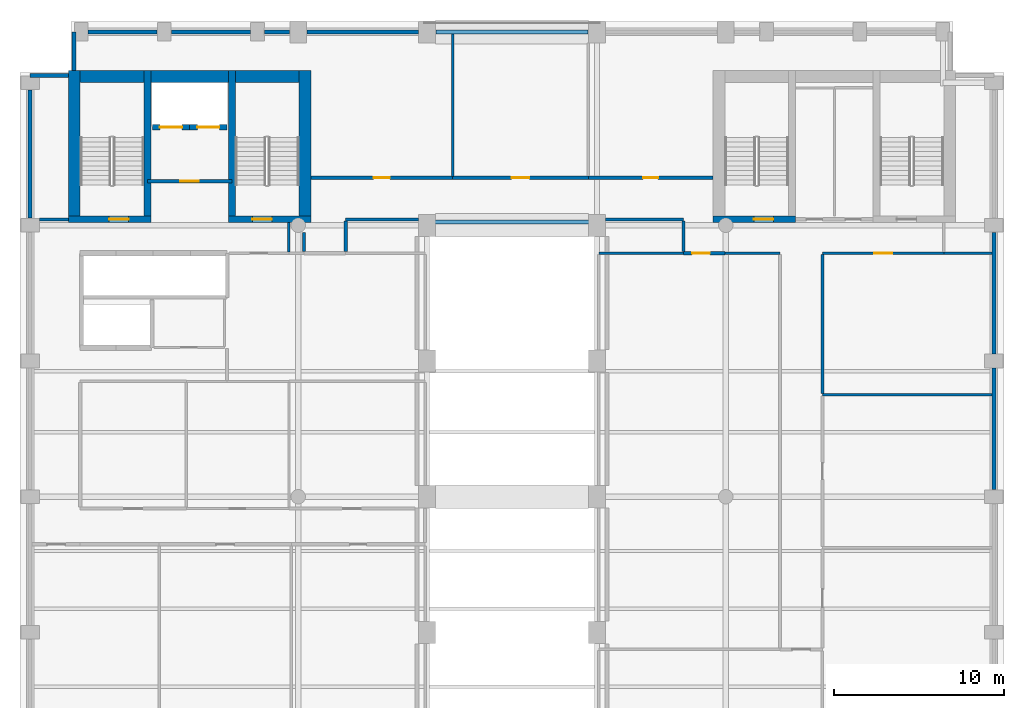
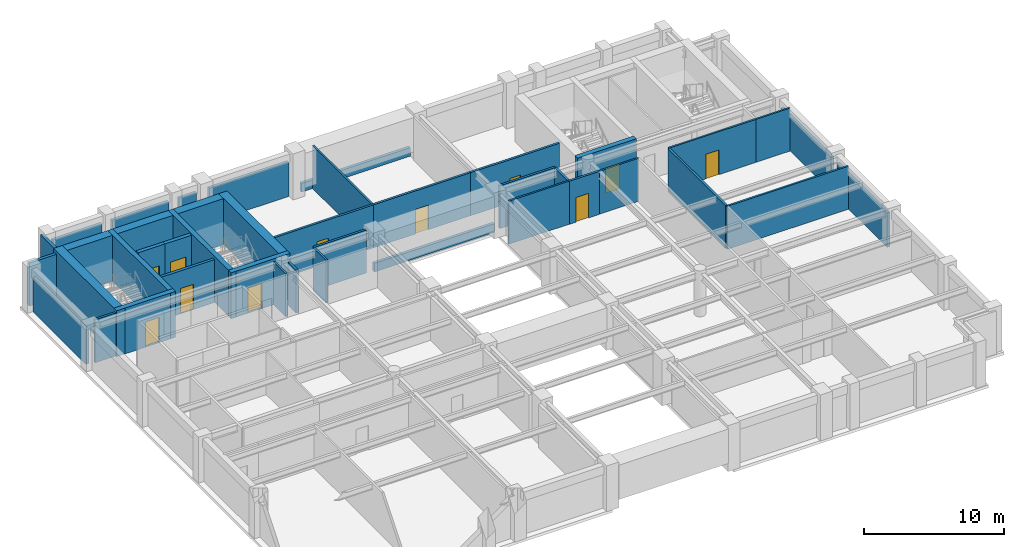
# One storey, part 4 of 7: 40 walls, 11 doors, 11 openings.
"""IFC4 building model written with IfcOpenShell, lengths in metres."""

from ifc_helpers import new_model, si_unit, direction, frame, frame_2d, origin, place, context, subcontext, project, spatial, rectangle, extrude, material, layer, layer_set, type_object, element, fill, save


model = new_model("IFC4")

# Units and contexts
model_context = context("Model", 3, precision=1e-05, world=origin(), true_north=direction((0.0, 1.0)))
body_context = subcontext(model_context, "Body", "Model", "MODEL_VIEW")
ifc_project = project(units=[si_unit("LENGTHUNIT", "METRE"), si_unit("AREAUNIT", "SQUARE_METRE"), si_unit("VOLUMEUNIT", "CUBIC_METRE"), si_unit("PLANEANGLEUNIT", "RADIAN"), si_unit("MASSUNIT", "GRAM", prefix="KILO")], contexts=[model_context])

# Site, building, storey
site_placement = place(None, origin())
site = spatial("IfcSite", under=ifc_project, at=site_placement, CompositionType="ELEMENT")
building_placement = place(site_placement, origin())
building = spatial("IfcBuilding", under=site, at=building_placement, Name="Sulina Concourse Tower", CompositionType="ELEMENT")
storey_placement = place(building_placement, frame((0.0, 0.0, 198.60009765625)))
storey = spatial("IfcBuildingStorey", under=building, at=storey_placement, Name="L48", CompositionType="ELEMENT", Elevation=198.60009765625)

# Wall, opening, door
ifc_material_1 = material(Name="Concrete C50/60", Category="concrete")
ifc_layer_1 = layer(ifc_material_1, 0.300048828125)
ifc_layer_set_1 = layer_set([ifc_layer_1], Name="Concrete C50/60")
wall_type_1 = type_object("IfcWallType", Name="Core Lift Hoistway Wall 300mm", PredefinedType="SOLIDWALL", material=ifc_layer_set_1)
wall_1_placement = place(storey_placement, frame((10.0, 39.780029296875, 0.0), z_axis=(0.0, 0.0, 1.0), x_axis=(-1.0, 0.0, 0.0)))
wall_1 = element("IfcWall", 1, at=wall_1_placement, inside=storey, type_object=wall_type_1, Name="L48 hoistway enclosure wall FFL-1", PredefinedType="SOLIDWALL", context=body_context, shape_type="SweptSolid", body=[
    extrude(rectangle(XDim=2.199951171875, YDim=0.300048828125, at=frame_2d((1.10009765625, 0.0))), origin(), (0.0, 0.0, 1.0), 4.0),
])
opening_1_placement = place(wall_1_placement, frame((0.449951171875, 0.0, 0.0)))
opening_1 = element("IfcOpeningElement", 2, at=opening_1_placement, cuts=wall_1, Name="Opening LD-02", PredefinedType="OPENING", context=body_context, shape_type="SweptSolid", body=[
    extrude(rectangle(XDim=1.300048828125, YDim=2.25, at=frame_2d((0.64990234375, 1.125))), frame((0.0, 0.159912109375, 0.0), z_axis=(0.0, -1.0, 0.0), x_axis=(1.0, 0.0, 0.0)), (0.0, 0.0, 1.0), 0.320068359375),
])
ifc_material_2 = material(Name="Stainless steel lift landing door", Category="steel")
ifc_layer_2 = layer(ifc_material_2, 0.050048828125)
ifc_layer_set_2 = layer_set([ifc_layer_2], Name="Stainless steel lift landing door")
door_type_1 = type_object("IfcDoorType", Name="Firefighting Lift Sliding Landing Door 1300x2250", OperationType="SLIDING_TO_RIGHT", PredefinedType="DOOR", material=ifc_layer_set_2)
door_1_placement = place(opening_1_placement, origin())
door_1 = element("IfcDoor", 3, at=door_1_placement, inside=storey, type_object=door_type_1, Name="L48 lift landing sliding door FFL-1", OperationType="SLIDING_TO_LEFT", OverallHeight=2.25, OverallWidth=1.300048828125, PredefinedType="DOOR", context=body_context, shape_type="SweptSolid", body=[
    extrude(rectangle(XDim=1.300048828125, YDim=2.25, at=frame_2d((0.64990234375, 1.125))), frame((0.0, 0.02490234375, 0.0), z_axis=(0.0, -1.0, 0.0), x_axis=(1.0, 0.0, 0.0)), (0.0, 0.0, 1.0), 0.050048828125),
])
fill(opening_1, door_1)

wall_2_placement = place(storey_placement, frame((12.199951171875, 39.780029296875, 0.0), z_axis=(0.0, 0.0, 1.0), x_axis=(-1.0, 0.0, 0.0)))
wall_2 = element("IfcWall", 4, at=wall_2_placement, inside=storey, type_object=wall_type_1, Name="L48 hoistway enclosure wall FFL-2", PredefinedType="SOLIDWALL", context=body_context, shape_type="SweptSolid", body=[
    extrude(rectangle(XDim=2.199951171875, YDim=0.300048828125, at=frame_2d((1.10009765625, 0.0))), origin(), (0.0, 0.0, 1.0), 4.0),
])
opening_2_placement = place(wall_2_placement, frame((0.449951171875, 0.0, 0.0)))
opening_2 = element("IfcOpeningElement", 5, at=opening_2_placement, cuts=wall_2, Name="Opening LD-02", PredefinedType="OPENING", context=body_context, shape_type="SweptSolid", body=[
    extrude(rectangle(XDim=1.300048828125, YDim=2.25, at=frame_2d((0.64990234375, 1.125))), frame((0.0, 0.159912109375, 0.0), z_axis=(0.0, -1.0, 0.0), x_axis=(1.0, 0.0, 0.0)), (0.0, 0.0, 1.0), 0.320068359375),
])
door_2_placement = place(opening_2_placement, origin())
door_2 = element("IfcDoor", 6, at=door_2_placement, inside=storey, type_object=door_type_1, Name="L48 lift landing sliding door FFL-2", OperationType="SLIDING_TO_RIGHT", OverallHeight=2.25, OverallWidth=1.300048828125, PredefinedType="DOOR", context=body_context, shape_type="SweptSolid", body=[
    extrude(rectangle(XDim=1.300048828125, YDim=2.25, at=frame_2d((0.64990234375, 1.125))), frame((0.0, 0.02490234375, 0.0), z_axis=(0.0, -1.0, 0.0), x_axis=(1.0, 0.0, 0.0)), (0.0, 0.0, 1.0), 0.050048828125),
])
fill(opening_2, door_2)

# Walls
ifc_material_3 = material(Name="Precast concrete C50/60", Category="concrete")
ifc_layer_3 = layer(ifc_material_3, 0.239990234375)
ifc_layer_set_3 = layer_set([ifc_layer_3], Name="Precast concrete C50/60")
wall_type_2 = type_object("IfcWallType", Name="Crown Precast Masonry-Frame Facade Wall 240mm", PredefinedType="SOLIDWALL", material=ifc_layer_set_3)
wall_3_placement = place(storey_placement, frame((0.60009765625, 34.419921875, 0.0), z_axis=(0.0, 0.0, 1.0), x_axis=(0.0, 1.0, 0.0)))
element("IfcWall", 7, at=wall_3_placement, inside=storey, type_object=wall_type_2, Name="L48 exterior precast wall W5", PredefinedType="SOLIDWALL", context=body_context, shape_type="SweptSolid", body=[
    extrude(rectangle(XDim=7.56005859375, YDim=0.239990234375, at=frame_2d((3.780029296875, 0.0))), origin(), (0.0, 0.0, 1.0), 3.0),
])
wall_4_placement = place(storey_placement, frame((4.02001953125, 45.39990234375, 0.0), z_axis=(0.0, 0.0, 1.0), x_axis=(1.0, 0.0, 0.0)))
element("IfcWall", 8, at=wall_4_placement, inside=storey, type_object=wall_type_2, Name="L48 exterior precast wall N1", PredefinedType="SOLIDWALL", context=body_context, shape_type="SweptSolid", body=[
    extrude(rectangle(XDim=4.06005859375, YDim=0.239990234375, at=frame_2d((2.030029296875, 0.0))), origin(), (0.0, 0.0, 1.0), 3.0),
])
wall_5_placement = place(storey_placement, frame((8.919921875, 45.39990234375, 0.0), z_axis=(0.0, 0.0, 1.0), x_axis=(1.0, 0.0, 0.0)))
element("IfcWall", 9, at=wall_5_placement, inside=storey, type_object=wall_type_2, Name="L48 exterior precast wall N2", PredefinedType="SOLIDWALL", context=body_context, shape_type="SweptSolid", body=[
    extrude(rectangle(XDim=4.66015625, YDim=0.239990234375, at=frame_2d((2.330078125, 0.0))), origin(), (0.0, 0.0, 1.0), 3.0),
])
wall_6_placement = place(storey_placement, frame((14.419921875, 45.39990234375, 0.0), z_axis=(0.0, 0.0, 1.0), x_axis=(1.0, 0.0, 0.0)))
element("IfcWall", 10, at=wall_6_placement, inside=storey, type_object=wall_type_2, Name="L48 exterior precast wall N3", PredefinedType="SOLIDWALL", context=body_context, shape_type="SweptSolid", body=[
    extrude(rectangle(XDim=1.4599609375, YDim=0.239990234375, at=frame_2d((0.72998046875, 0.0))), origin(), (0.0, 0.0, 1.0), 3.0),
])
wall_7_placement = place(storey_placement, frame((16.919921875, 45.39990234375, 0.0), z_axis=(0.0, 0.0, 1.0), x_axis=(1.0, 0.0, 0.0)))
element("IfcWall", 11, at=wall_7_placement, inside=storey, type_object=wall_type_2, Name="L48 exterior precast wall N4", PredefinedType="SOLIDWALL", context=body_context, shape_type="SweptSolid", body=[
    extrude(rectangle(XDim=6.56005859375, YDim=0.239990234375, at=frame_2d((3.280029296875, 0.0))), origin(), (0.0, 0.0, 1.0), 3.0),
])
wall_8_placement = place(storey_placement, frame((24.52001953125, 45.39990234375, 0.0), z_axis=(0.0, 0.0, 1.0), x_axis=(1.0, 0.0, 0.0)))
element("IfcWall", 12, at=wall_8_placement, inside=storey, type_object=wall_type_2, Name="L48 exterior precast wall N5", PredefinedType="SOLIDWALL", context=body_context, shape_type="SweptSolid", body=[
    extrude(rectangle(XDim=8.9599609375, YDim=0.239990234375, at=frame_2d((4.47998046875, 0.0))), origin(), (0.0, 0.0, 1.0), 0.75),
])
for number, where, z_axis, x_axis, name in (
    (13, (57.39990234375, 25.580078125, 0.0), (0.0, 0.0, 1.0), (0.0, -1.0, 0.0), "L48 exterior precast wall E3"),
    (14, (57.39990234375, 33.580078125, 0.0), (0.0, 0.0, 1.0), (0.0, -1.0, 0.0), "L48 exterior precast wall E4"),
):
    element("IfcWall", number, at=place(storey_placement, frame(where, z_axis=z_axis, x_axis=x_axis)), inside=storey, type_object=wall_type_2, Name=name, PredefinedType="SOLIDWALL", context=body_context, shape_type="SweptSolid", body=[
        extrude(rectangle(XDim=7.16015625, YDim=0.239990234375, at=frame_2d((3.580078125, 0.0))), origin(), (0.0, 0.0, 1.0), 3.0),
    ])
wall_9_placement = place(storey_placement, frame((0.60009765625, 42.820068359375, 0.0), z_axis=(0.0, 0.0, 1.0), x_axis=(1.0, 0.0, 0.0)))
element("IfcWall", 15, at=wall_9_placement, inside=storey, type_object=wall_type_2, Name="L48 exterior precast wall CNW1", PredefinedType="SOLIDWALL", context=body_context, shape_type="SweptSolid", body=[
    extrude(rectangle(XDim=2.244873046875, YDim=0.239990234375, at=frame_2d((1.12255859375, 0.0))), origin(), (0.0, 0.0, 1.0), 3.75),
])
wall_10_placement = place(storey_placement, frame((3.179931640625, 43.135009765625, 0.0), z_axis=(0.0, 0.0, 1.0), x_axis=(0.0, 1.0, 0.0)))
element("IfcWall", 16, at=wall_10_placement, inside=storey, type_object=wall_type_2, Name="L48 exterior precast wall CNW2", PredefinedType="SOLIDWALL", context=body_context, shape_type="SweptSolid", body=[
    extrude(rectangle(XDim=2.264892578125, YDim=0.239990234375, at=frame_2d((1.13232421875, 0.0))), origin(), (0.0, 0.0, 1.0), 3.75),
])
wall_11_placement = place(storey_placement, frame((33.949951171875, 34.199951171875, 0.0), z_axis=(0.0, 0.0, 1.0), x_axis=(-1.0, 0.0, 0.0)))
element("IfcWall", 17, at=wall_11_placement, inside=storey, type_object=wall_type_2, Name="L48 exterior precast wall PBRG-S", PredefinedType="SOLIDWALL", context=body_context, shape_type="SweptSolid", body=[
    extrude(rectangle(XDim=9.89990234375, YDim=0.239990234375, at=frame_2d((4.949951171875, 0.0))), origin(), (0.0, 0.0, 1.0), 0.75),
])

# Wall, opening, door
ifc_material_4 = material(Name="Gypsum board on steel stud", Category="steel")
ifc_layer_4 = layer(ifc_material_4, 0.219970703125)
ifc_layer_set_4 = layer_set([ifc_layer_4], Name="Gypsum board on steel stud")
wall_type_3 = type_object("IfcWallType", Name="Fire-Rated Lobby & Compartment Wall 220mm", PredefinedType="PARTITIONING", material=ifc_layer_set_4)
wall_12_placement = place(storey_placement, frame((7.510009765625, 36.60009765625, 0.0), z_axis=(0.0, 0.0, 1.0), x_axis=(1.0, 0.0, 0.0)))
wall_12 = element("IfcWall", 18, at=wall_12_placement, inside=storey, type_object=wall_type_3, Name="L48 firefighting lobby south fire wall", PredefinedType="PARTITIONING", context=body_context, shape_type="SweptSolid", body=[
    extrude(rectangle(XDim=4.97998046875, YDim=0.219970703125, at=frame_2d((2.489990234375, 0.0))), origin(), (0.0, 0.0, 1.0), 3.75),
])
opening_3_placement = place(wall_12_placement, frame((1.93994140625, 0.0, 0.0)))
opening_3 = element("IfcOpeningElement", 19, at=opening_3_placement, cuts=wall_12, Name="Opening DR-47", PredefinedType="OPENING", context=body_context, shape_type="SweptSolid", body=[
    extrude(rectangle(XDim=1.10009765625, YDim=2.199951171875, at=frame_2d((0.550048828125, 1.10009765625))), frame((0.0, 0.119873046875, 0.0), z_axis=(0.0, -1.0, 0.0), x_axis=(1.0, 0.0, 0.0)), (0.0, 0.0, 1.0), 0.239990234375),
])
ifc_material_5 = material(Name="Galvanised steel acoustic fire leaf", Category="steel")
ifc_layer_5 = layer(ifc_material_5, 0.054931640625)
ifc_layer_set_5 = layer_set([ifc_layer_5], Name="Galvanised steel acoustic fire leaf")
door_type_2 = type_object("IfcDoorType", Name="Firefighting Lobby Fire Door 1100x2200", OperationType="NOTDEFINED", PredefinedType="DOOR", material=ifc_layer_set_5)
door_3_placement = place(opening_3_placement, origin())
door_3 = element("IfcDoor", 20, at=door_3_placement, inside=storey, type_object=door_type_2, Name="L48 firefighting lobby fire door", OperationType="SINGLE_SWING_LEFT", OverallHeight=2.199951171875, OverallWidth=1.10009765625, PredefinedType="DOOR", context=body_context, shape_type="SweptSolid", body=[
    extrude(rectangle(XDim=1.10009765625, YDim=2.199951171875, at=frame_2d((0.550048828125, 1.10009765625))), frame((0.0, 0.02490234375, 0.0), z_axis=(0.0, -1.0, 0.0), x_axis=(1.0, 0.0, 0.0)), (0.0, 0.0, 1.0), 0.050048828125),
])
fill(opening_3, door_3)

# Walls
ifc_material_6 = material(Name="Gypsum board on steel stud", Category="steel")
ifc_layer_6 = layer(ifc_material_6, 0.14990234375)
ifc_layer_set_6 = layer_set([ifc_layer_6], Name="Gypsum board on steel stud")
wall_type_4 = type_object("IfcWallType", Name="Inter-Tenancy Acoustic Partition 150mm", PredefinedType="PARTITIONING", material=ifc_layer_set_6)
wall_13_placement = place(storey_placement, frame((47.300048828125, 24.0, 0.0), z_axis=(0.0, 0.0, 1.0), x_axis=(1.0, 0.0, 0.0)))
element("IfcWall", 21, at=wall_13_placement, inside=storey, type_object=wall_type_4, Name="L48 interior partition 011", PredefinedType="PARTITIONING", context=body_context, shape_type="SweptSolid", body=[
    extrude(rectangle(XDim=9.97998046875, YDim=0.14990234375, at=frame_2d((4.989990234375, 0.0))), origin(), (0.0, 0.0, 1.0), 3.75),
])
wall_14_placement = place(storey_placement, frame((34.1201171875, 32.35009765625, 0.0), z_axis=(0.0, 0.0, 1.0), x_axis=(1.0, 0.0, 0.0)))
element("IfcWall", 22, at=wall_14_placement, inside=storey, type_object=wall_type_4, Name="L48 interior partition 021", PredefinedType="PARTITIONING", context=body_context, shape_type="SweptSolid", body=[
    extrude(rectangle(XDim=4.97998046875, YDim=0.14990234375, at=frame_2d((2.489990234375, 0.0))), origin(), (0.0, 0.0, 1.0), 3.75),
])
wall_15_placement = place(storey_placement, frame((41.550048828125, 32.35009765625, 0.0), z_axis=(0.0, 0.0, 1.0), x_axis=(1.0, 0.0, 0.0)))
element("IfcWall", 23, at=wall_15_placement, inside=storey, type_object=wall_type_4, Name="L48 interior partition 023", PredefinedType="PARTITIONING", context=body_context, shape_type="SweptSolid", body=[
    extrude(rectangle(XDim=3.25, YDim=0.14990234375, at=frame_2d((1.625, 0.0))), origin(), (0.0, 0.0, 1.0), 3.75),
])

# Wall, opening, door
wall_16_placement = place(storey_placement, frame((47.300048828125, 32.35009765625, 0.0), z_axis=(0.0, 0.0, 1.0), x_axis=(1.0, 0.0, 0.0)))
wall_16 = element("IfcWall", 24, at=wall_16_placement, inside=storey, type_object=wall_type_4, Name="L48 interior partition 024", PredefinedType="PARTITIONING", context=body_context, shape_type="SweptSolid", body=[
    extrude(rectangle(XDim=7.14990234375, YDim=0.14990234375, at=frame_2d((3.574951171875, 0.0))), origin(), (0.0, 0.0, 1.0), 3.75),
])
opening_4_placement = place(wall_16_placement, frame((3.050048828125, 0.0, 0.0)))
opening_4 = element("IfcOpeningElement", 25, at=opening_4_placement, cuts=wall_16, Name="Opening DR-37", PredefinedType="OPENING", context=body_context, shape_type="SweptSolid", body=[
    extrude(rectangle(XDim=1.050048828125, YDim=2.14990234375, at=frame_2d((0.52490234375, 1.074951171875))), frame((0.0, 0.0849609375, 0.0), z_axis=(0.0, -1.0, 0.0), x_axis=(1.0, 0.0, 0.0)), (0.0, 0.0, 1.0), 0.169921875),
])
ifc_material_7 = material(Name="Oak-veneered fire door leaf")
ifc_layer_7 = layer(ifc_material_7, 0.050048828125)
ifc_layer_set_7 = layer_set([ifc_layer_7], Name="Oak-veneered fire door leaf")
door_type_3 = type_object("IfcDoorType", Name="Tenant Suite Entrance Fire Door 1050x2150", OperationType="NOTDEFINED", PredefinedType="DOOR", material=ifc_layer_set_7)
door_4_placement = place(opening_4_placement, origin())
door_4 = element("IfcDoor", 26, at=door_4_placement, inside=storey, type_object=door_type_3, Name="L48 interior door L48-OFF-E3", OperationType="SINGLE_SWING_RIGHT", OverallHeight=2.14990234375, OverallWidth=1.050048828125, PredefinedType="DOOR", context=body_context, shape_type="SweptSolid", body=[
    extrude(rectangle(XDim=1.050048828125, YDim=2.14990234375, at=frame_2d((0.52490234375, 1.074951171875))), frame((0.0, 0.02490234375, 0.0), z_axis=(0.0, -1.0, 0.0), x_axis=(1.0, 0.0, 0.0)), (0.0, 0.0, 1.0), 0.050048828125),
])
fill(opening_4, door_4)

# Walls
wall_17_placement = place(storey_placement, frame((54.449951171875, 32.35009765625, 0.0), z_axis=(0.0, 0.0, 1.0), x_axis=(1.0, 0.0, 0.0)))
element("IfcWall", 27, at=wall_17_placement, inside=storey, type_object=wall_type_4, Name="L48 interior partition 025", PredefinedType="PARTITIONING", context=body_context, shape_type="SweptSolid", body=[
    extrude(rectangle(XDim=2.830078125, YDim=0.14990234375, at=frame_2d((1.4150390625, 0.0))), origin(), (0.0, 0.0, 1.0), 3.75),
])
wall_18_placement = place(storey_placement, frame((15.85009765625, 32.425048828125, 0.0), z_axis=(0.0, 0.0, 1.0), x_axis=(0.0, 1.0, 0.0)))
element("IfcWall", 28, at=wall_18_placement, inside=storey, type_object=wall_type_4, Name="L48 interior partition 040", PredefinedType="PARTITIONING", context=body_context, shape_type="SweptSolid", body=[
    extrude(rectangle(XDim=1.724853515625, YDim=0.14990234375, at=frame_2d((0.8623046875, 0.0))), origin(), (0.0, 0.0, 1.0), 3.75),
])
wall_19_placement = place(storey_placement, frame((25.5, 36.889892578125, 0.0), z_axis=(0.0, 0.0, 1.0), x_axis=(0.0, 1.0, 0.0)))
element("IfcWall", 29, at=wall_19_placement, inside=storey, type_object=wall_type_4, Name="L48 interior partition 049", PredefinedType="PARTITIONING", context=body_context, shape_type="SweptSolid", body=[
    extrude(rectangle(XDim=8.39013671875, YDim=0.14990234375, at=frame_2d((4.195068359375, 0.0))), origin(), (0.0, 0.0, 1.0), 3.75),
])

# Wall, opening, door
ifc_material_8 = material(Name="Gypsum board on steel stud", Category="steel")
ifc_layer_8 = layer(ifc_material_8, 0.179931640625)
ifc_layer_set_8 = layer_set([ifc_layer_8], Name="Gypsum board on steel stud")
wall_type_5 = type_object("IfcWallType", Name="Protected Corridor & Riser Partition 180mm", PredefinedType="PARTITIONING", material=ifc_layer_set_8)
wall_20_placement = place(storey_placement, frame((39.10009765625, 32.35009765625, 0.0), z_axis=(0.0, 0.0, 1.0), x_axis=(1.0, 0.0, 0.0)))
wall_20 = element("IfcWall", 30, at=wall_20_placement, inside=storey, type_object=wall_type_5, Name="L48 interior partition 022", PredefinedType="PARTITIONING", context=body_context, shape_type="SweptSolid", body=[
    extrude(rectangle(XDim=2.449951171875, YDim=0.179931640625, at=frame_2d((1.22509765625, 0.0))), origin(), (0.0, 0.0, 1.0), 3.75),
])
opening_5_placement = place(wall_20_placement, frame((0.52001953125, 0.0, 0.0)))
opening_5 = element("IfcOpeningElement", 31, at=opening_5_placement, cuts=wall_20, Name="Opening DR-37", PredefinedType="OPENING", context=body_context, shape_type="SweptSolid", body=[
    extrude(rectangle(XDim=1.050048828125, YDim=2.14990234375, at=frame_2d((0.52490234375, 1.074951171875))), frame((0.0, 0.099853515625, 0.0), z_axis=(0.0, -1.0, 0.0), x_axis=(1.0, 0.0, 0.0)), (0.0, 0.0, 1.0), 0.199951171875),
])
door_5_placement = place(opening_5_placement, origin())
door_5 = element("IfcDoor", 32, at=door_5_placement, inside=storey, type_object=door_type_3, Name="L48 interior door L48-REC-E2", OperationType="SINGLE_SWING_LEFT", OverallHeight=2.14990234375, OverallWidth=1.050048828125, PredefinedType="DOOR", context=body_context, shape_type="SweptSolid", body=[
    extrude(rectangle(XDim=1.050048828125, YDim=2.14990234375, at=frame_2d((0.52490234375, 1.074951171875))), frame((0.0, 0.02490234375, 0.0), z_axis=(0.0, -1.0, 0.0), x_axis=(1.0, 0.0, 0.0)), (0.0, 0.0, 1.0), 0.050048828125),
])
fill(opening_5, door_5)

# Walls
wall_21_placement = place(storey_placement, frame((1.14990234375, 34.35009765625, 0.0), z_axis=(0.0, 0.0, 1.0), x_axis=(1.0, 0.0, 0.0)))
element("IfcWall", 33, at=wall_21_placement, inside=storey, type_object=wall_type_5, Name="L48 interior partition 026", PredefinedType="PARTITIONING", context=body_context, shape_type="SweptSolid", body=[
    extrude(rectangle(XDim=1.7001953125, YDim=0.179931640625, at=frame_2d((0.85009765625, 0.0))), origin(), (0.0, 0.0, 1.0), 3.75),
])
wall_22_placement = place(storey_placement, frame((19.199951171875, 34.35009765625, 0.0), z_axis=(0.0, 0.0, 1.0), x_axis=(1.0, 0.0, 0.0)))
element("IfcWall", 34, at=wall_22_placement, inside=storey, type_object=wall_type_5, Name="L48 interior partition 027", PredefinedType="PARTITIONING", context=body_context, shape_type="SweptSolid", body=[
    extrude(rectangle(XDim=4.300048828125, YDim=0.179931640625, at=frame_2d((2.14990234375, 0.0))), origin(), (0.0, 0.0, 1.0), 3.75),
])
wall_23_placement = place(storey_placement, frame((34.5, 34.35009765625, 0.0), z_axis=(0.0, 0.0, 1.0), x_axis=(1.0, 0.0, 0.0)))
element("IfcWall", 35, at=wall_23_placement, inside=storey, type_object=wall_type_5, Name="L48 interior partition 028", PredefinedType="PARTITIONING", context=body_context, shape_type="SweptSolid", body=[
    extrude(rectangle(XDim=4.60009765625, YDim=0.179931640625, at=frame_2d((2.300048828125, 0.0))), origin(), (0.0, 0.0, 1.0), 3.75),
])

# Wall, opening, door
wall_24_placement = place(storey_placement, frame((17.14990234375, 36.800048828125, 0.0), z_axis=(0.0, 0.0, 1.0), x_axis=(1.0, 0.0, 0.0)))
wall_24 = element("IfcWall", 36, at=wall_24_placement, inside=storey, type_object=wall_type_5, Name="L48 interior partition 029", PredefinedType="PARTITIONING", context=body_context, shape_type="SweptSolid", body=[
    extrude(rectangle(XDim=8.35009765625, YDim=0.179931640625, at=frame_2d((4.175048828125, 0.0))), origin(), (0.0, 0.0, 1.0), 3.75),
])
opening_6_placement = place(wall_24_placement, frame((3.699951171875, 0.0, 0.0)))
opening_6 = element("IfcOpeningElement", 37, at=opening_6_placement, cuts=wall_24, Name="Opening DR-19", PredefinedType="OPENING", context=body_context, shape_type="SweptSolid", body=[
    extrude(rectangle(XDim=0.949951171875, YDim=2.14990234375, at=frame_2d((0.47509765625, 1.074951171875))), frame((0.0, 0.099853515625, 0.0), z_axis=(0.0, -1.0, 0.0), x_axis=(1.0, 0.0, 0.0)), (0.0, 0.0, 1.0), 0.199951171875),
])
ifc_material_9 = material(Name="Oak-veneered acoustic timber leaf", Category="wood")
ifc_layer_9 = layer(ifc_material_9, 0.050048828125)
ifc_layer_set_9 = layer_set([ifc_layer_9], Name="Oak-veneered acoustic timber leaf")
door_type_4 = type_object("IfcDoorType", Name="Cellular Office & Meeting Door 950x2150", OperationType="NOTDEFINED", PredefinedType="DOOR", material=ifc_layer_set_9)
door_6_placement = place(opening_6_placement, origin())
door_6 = element("IfcDoor", 38, at=door_6_placement, inside=storey, type_object=door_type_4, Name="L48 interior door L48-STD-N1", OperationType="SINGLE_SWING_LEFT", OverallHeight=2.14990234375, OverallWidth=0.949951171875, PredefinedType="DOOR", context=body_context, shape_type="SweptSolid", body=[
    extrude(rectangle(XDim=0.949951171875, YDim=2.14990234375, at=frame_2d((0.47509765625, 1.074951171875))), frame((0.0, 0.02490234375, 0.0), z_axis=(0.0, -1.0, 0.0), x_axis=(1.0, 0.0, 0.0)), (0.0, 0.0, 1.0), 0.050048828125),
])
fill(opening_6, door_6)

wall_25_placement = place(storey_placement, frame((25.5, 36.800048828125, 0.0), z_axis=(0.0, 0.0, 1.0), x_axis=(1.0, 0.0, 0.0)))
wall_25 = element("IfcWall", 39, at=wall_25_placement, inside=storey, type_object=wall_type_5, Name="L48 interior partition 030", PredefinedType="PARTITIONING", context=body_context, shape_type="SweptSolid", body=[
    extrude(rectangle(XDim=8.0, YDim=0.179931640625, at=frame_2d((4.0, 0.0))), origin(), (0.0, 0.0, 1.0), 3.75),
])
opening_7_placement = place(wall_25_placement, frame((3.47509765625, 0.0, 0.0)))
opening_7 = element("IfcOpeningElement", 40, at=opening_7_placement, cuts=wall_25, Name="Opening DR-37", PredefinedType="OPENING", context=body_context, shape_type="SweptSolid", body=[
    extrude(rectangle(XDim=1.050048828125, YDim=2.14990234375, at=frame_2d((0.52490234375, 1.074951171875))), frame((0.0, 0.099853515625, 0.0), z_axis=(0.0, -1.0, 0.0), x_axis=(1.0, 0.0, 0.0)), (0.0, 0.0, 1.0), 0.199951171875),
])
door_7_placement = place(opening_7_placement, origin())
door_7 = element("IfcDoor", 41, at=door_7_placement, inside=storey, type_object=door_type_3, Name="L48 interior door L48-STD-N2", OperationType="SINGLE_SWING_RIGHT", OverallHeight=2.14990234375, OverallWidth=1.050048828125, PredefinedType="DOOR", context=body_context, shape_type="SweptSolid", body=[
    extrude(rectangle(XDim=1.050048828125, YDim=2.14990234375, at=frame_2d((0.52490234375, 1.074951171875))), frame((0.0, 0.02490234375, 0.0), z_axis=(0.0, -1.0, 0.0), x_axis=(1.0, 0.0, 0.0)), (0.0, 0.0, 1.0), 0.050048828125),
])
fill(opening_7, door_7)

wall_26_placement = place(storey_placement, frame((33.5, 36.800048828125, 0.0), z_axis=(0.0, 0.0, 1.0), x_axis=(1.0, 0.0, 0.0)))
wall_26 = element("IfcWall", 42, at=wall_26_placement, inside=storey, type_object=wall_type_5, Name="L48 interior partition 031", PredefinedType="PARTITIONING", context=body_context, shape_type="SweptSolid", body=[
    extrude(rectangle(XDim=7.35009765625, YDim=0.179931640625, at=frame_2d((3.675048828125, 0.0))), origin(), (0.0, 0.0, 1.0), 3.75),
])
opening_8_placement = place(wall_26_placement, frame((3.235107421875, 0.0, 0.0)))
opening_8 = element("IfcOpeningElement", 43, at=opening_8_placement, cuts=wall_26, Name="Opening DR-38", PredefinedType="OPENING", context=body_context, shape_type="SweptSolid", body=[
    extrude(rectangle(XDim=0.8798828125, YDim=2.10009765625, at=frame_2d((0.43994140625, 1.050048828125))), frame((0.0, 0.099853515625, 0.0), z_axis=(0.0, -1.0, 0.0), x_axis=(1.0, 0.0, 0.0)), (0.0, 0.0, 1.0), 0.199951171875),
])
ifc_material_10 = material(Name="Galvanised steel acoustic fire leaf", Category="steel")
ifc_layer_10 = layer(ifc_material_10, 0.050048828125)
ifc_layer_set_10 = layer_set([ifc_layer_10], Name="Galvanised steel acoustic fire leaf")
door_type_5 = type_object("IfcDoorType", Name="Service Riser Fire Door 880x2100", OperationType="NOTDEFINED", PredefinedType="DOOR", material=ifc_layer_set_10)
door_8_placement = place(opening_8_placement, origin())
door_8 = element("IfcDoor", 44, at=door_8_placement, inside=storey, type_object=door_type_5, Name="L48 interior door L48-STR-N3", OperationType="SINGLE_SWING_LEFT", OverallHeight=2.10009765625, OverallWidth=0.8798828125, PredefinedType="DOOR", context=body_context, shape_type="SweptSolid", body=[
    extrude(rectangle(XDim=0.8798828125, YDim=2.10009765625, at=frame_2d((0.43994140625, 1.050048828125))), frame((0.0, 0.02490234375, 0.0), z_axis=(0.0, -1.0, 0.0), x_axis=(1.0, 0.0, 0.0)), (0.0, 0.0, 1.0), 0.050048828125),
])
fill(opening_8, door_8)

# Walls
wall_27_placement = place(storey_placement, frame((16.75, 32.43994140625, 0.0), z_axis=(0.0, 0.0, 1.0), x_axis=(0.0, 1.0, 0.0)))
element("IfcWall", 45, at=wall_27_placement, inside=storey, type_object=wall_type_5, Name="L48 interior partition 042", PredefinedType="PARTITIONING", context=body_context, shape_type="SweptSolid", body=[
    extrude(rectangle(XDim=1.135009765625, YDim=0.179931640625, at=frame_2d((0.5673828125, 0.0))), origin(), (0.0, 0.0, 1.0), 3.75),
])
for number, where, z_axis, x_axis, name in (
    (46, (19.199951171875, 32.43994140625, 0.0), (0.0, 0.0, 1.0), (0.0, 1.0, 0.0), "L48 interior partition 043"),
    (47, (39.10009765625, 32.43994140625, 0.0), (0.0, 0.0, 1.0), (0.0, 1.0, 0.0), "L48 interior partition 055"),
):
    element("IfcWall", number, at=place(storey_placement, frame(where, z_axis=z_axis, x_axis=x_axis)), inside=storey, type_object=wall_type_5, Name=name, PredefinedType="PARTITIONING", context=body_context, shape_type="SweptSolid", body=[
        extrude(rectangle(XDim=1.820068359375, YDim=0.179931640625, at=frame_2d((0.91015625, 0.0))), origin(), (0.0, 0.0, 1.0), 3.75),
    ])
wall_28_placement = place(storey_placement, frame((47.300048828125, 24.074951171875, 0.0), z_axis=(0.0, 0.0, 1.0), x_axis=(0.0, 1.0, 0.0)))
element("IfcWall", 48, at=wall_28_placement, inside=storey, type_object=wall_type_5, Name="L48 interior partition 060", PredefinedType="PARTITIONING", context=body_context, shape_type="SweptSolid", body=[
    extrude(rectangle(XDim=8.199951171875, YDim=0.179931640625, at=frame_2d((4.10009765625, 0.0))), origin(), (0.0, 0.0, 1.0), 3.75),
])

# Wall, opening, door
ifc_material_11 = material(Name="Concrete C60/75", Category="concrete")
ifc_layer_11 = layer(ifc_material_11, 0.39990234375)
ifc_layer_set_11 = layer_set([ifc_layer_11], Name="Concrete C60/75")
wall_type_6 = type_object("IfcWallType", Name="Protected Stair Core Shear Wall 400mm", PredefinedType="SHEAR", material=ifc_layer_set_11)
wall_29_placement = place(storey_placement, frame((2.85009765625, 34.35009765625, 0.0), z_axis=(0.0, 0.0, 1.0), x_axis=(1.0, 0.0, 0.0)))
wall_29 = element("IfcWall", 49, at=wall_29_placement, inside=storey, type_object=wall_type_6, Name="L48 west core shear wall CW-WS1", PredefinedType="SHEAR", context=body_context, shape_type="SweptSolid", body=[
    extrude(rectangle(XDim=4.85986328125, YDim=0.39990234375, at=frame_2d((2.429931640625, 0.0))), origin(), (0.0, 0.0, 1.0), 4.0),
])
opening_9_placement = place(wall_29_placement, frame((2.39990234375, 0.0, 0.0)))
opening_9 = element("IfcOpeningElement", 50, at=opening_9_placement, cuts=wall_29, Name="Opening DR-60", PredefinedType="OPENING", context=body_context, shape_type="SweptSolid", body=[
    extrude(rectangle(XDim=1.14990234375, YDim=2.199951171875, at=frame_2d((0.574951171875, 1.10009765625))), frame((0.0, 0.2099609375, 0.0), z_axis=(0.0, -1.0, 0.0), x_axis=(1.0, 0.0, 0.0)), (0.0, 0.0, 1.0), 0.419921875),
])
ifc_material_12 = material(Name="Galvanised steel acoustic fire leaf", Category="steel")
ifc_layer_12 = layer(ifc_material_12, 0.054931640625)
ifc_layer_set_12 = layer_set([ifc_layer_12], Name="Galvanised steel acoustic fire leaf")
door_type_6 = type_object("IfcDoorType", Name="Protected Exit Stair Fire Door 1150x2200", OperationType="NOTDEFINED", PredefinedType="DOOR", material=ifc_layer_set_12)
door_9_placement = place(opening_9_placement, origin())
door_9 = element("IfcDoor", 51, at=door_9_placement, inside=storey, type_object=door_type_6, Name="L48 stair ST-1 lobby fire door", OperationType="SINGLE_SWING_LEFT", OverallHeight=2.199951171875, OverallWidth=1.14990234375, PredefinedType="DOOR", context=body_context, shape_type="SweptSolid", body=[
    extrude(rectangle(XDim=1.14990234375, YDim=2.199951171875, at=frame_2d((0.574951171875, 1.10009765625))), frame((0.0, 0.02490234375, 0.0), z_axis=(0.0, -1.0, 0.0), x_axis=(1.0, 0.0, 0.0)), (0.0, 0.0, 1.0), 0.050048828125),
])
fill(opening_9, door_9)

wall_30_placement = place(storey_placement, frame((12.2900390625, 34.35009765625, 0.0), z_axis=(0.0, 0.0, 1.0), x_axis=(1.0, 0.0, 0.0)))
wall_30 = element("IfcWall", 52, at=wall_30_placement, inside=storey, type_object=wall_type_6, Name="L48 west core shear wall CW-WS2", PredefinedType="SHEAR", context=body_context, shape_type="SweptSolid", body=[
    extrude(rectangle(XDim=4.85986328125, YDim=0.39990234375, at=frame_2d((2.429931640625, 0.0))), origin(), (0.0, 0.0, 1.0), 4.0),
])
opening_10_placement = place(wall_30_placement, frame((1.39990234375, 0.0, 0.0)))
opening_10 = element("IfcOpeningElement", 53, at=opening_10_placement, cuts=wall_30, Name="Opening DR-60", PredefinedType="OPENING", context=body_context, shape_type="SweptSolid", body=[
    extrude(rectangle(XDim=1.14990234375, YDim=2.199951171875, at=frame_2d((0.574951171875, 1.10009765625))), frame((0.0, 0.2099609375, 0.0), z_axis=(0.0, -1.0, 0.0), x_axis=(1.0, 0.0, 0.0)), (0.0, 0.0, 1.0), 0.419921875),
])
door_10_placement = place(opening_10_placement, origin())
door_10 = element("IfcDoor", 54, at=door_10_placement, inside=storey, type_object=door_type_6, Name="L48 stair ST-2 lobby fire door", OperationType="SINGLE_SWING_RIGHT", OverallHeight=2.199951171875, OverallWidth=1.14990234375, PredefinedType="DOOR", context=body_context, shape_type="SweptSolid", body=[
    extrude(rectangle(XDim=1.14990234375, YDim=2.199951171875, at=frame_2d((0.574951171875, 1.10009765625))), frame((0.0, 0.02490234375, 0.0), z_axis=(0.0, -1.0, 0.0), x_axis=(1.0, 0.0, 0.0)), (0.0, 0.0, 1.0), 0.050048828125),
])
fill(opening_10, door_10)

# Walls
for number, where, z_axis, x_axis, name in (
    (55, (7.510009765625, 34.14990234375, 0.0), (0.0, 0.0, 1.0), (0.0, 1.0, 0.0), "L48 west core shear wall SW-ST1"),
    (56, (12.489990234375, 34.14990234375, 0.0), (0.0, 0.0, 1.0), (0.0, 1.0, 0.0), "L48 west core shear wall SW-ST2"),
):
    element("IfcWall", number, at=place(storey_placement, frame(where, z_axis=z_axis, x_axis=x_axis)), inside=storey, type_object=wall_type_6, Name=name, PredefinedType="SHEAR", context=body_context, shape_type="SweptSolid", body=[
        extrude(rectangle(XDim=8.97998046875, YDim=0.39990234375, at=frame_2d((4.489990234375, 0.0))), origin(), (0.0, 0.0, 1.0), 4.0),
    ])

# Wall, opening, door
wall_31_placement = place(storey_placement, frame((40.85009765625, 34.35009765625, 0.0), z_axis=(0.0, 0.0, 1.0), x_axis=(1.0, 0.0, 0.0)))
wall_31 = element("IfcWall", 57, at=wall_31_placement, inside=storey, type_object=wall_type_6, Name="L48 east core shear wall CW-ES1", PredefinedType="SHEAR", context=body_context, shape_type="SweptSolid", body=[
    extrude(rectangle(XDim=4.85986328125, YDim=0.39990234375, at=frame_2d((2.429931640625, 0.0))), origin(), (0.0, 0.0, 1.0), 4.0),
])
opening_11_placement = place(wall_31_placement, frame((2.39990234375, 0.0, 0.0)))
opening_11 = element("IfcOpeningElement", 58, at=opening_11_placement, cuts=wall_31, Name="Opening DR-60", PredefinedType="OPENING", context=body_context, shape_type="SweptSolid", body=[
    extrude(rectangle(XDim=1.14990234375, YDim=2.199951171875, at=frame_2d((0.574951171875, 1.10009765625))), frame((0.0, 0.2099609375, 0.0), z_axis=(0.0, -1.0, 0.0), x_axis=(1.0, 0.0, 0.0)), (0.0, 0.0, 1.0), 0.419921875),
])
door_11_placement = place(opening_11_placement, origin())
door_11 = element("IfcDoor", 59, at=door_11_placement, inside=storey, type_object=door_type_6, Name="L48 stair ST-3 south lobby fire door", OperationType="SINGLE_SWING_RIGHT", OverallHeight=2.199951171875, OverallWidth=1.14990234375, PredefinedType="DOOR", context=body_context, shape_type="SweptSolid", body=[
    extrude(rectangle(XDim=1.14990234375, YDim=2.199951171875, at=frame_2d((0.574951171875, 1.10009765625))), frame((0.0, 0.02490234375, 0.0), z_axis=(0.0, -1.0, 0.0), x_axis=(1.0, 0.0, 0.0)), (0.0, 0.0, 1.0), 0.050048828125),
])
fill(opening_11, door_11)

# Walls
ifc_material_13 = material(Name="Concrete C60/75", Category="concrete")
ifc_layer_13 = layer(ifc_material_13, 0.699951171875)
ifc_layer_set_13 = layer_set([ifc_layer_13], Name="Concrete C60/75")
wall_type_7 = type_object("IfcWallType", Name="Rear Core Shear Wall 700mm", PredefinedType="SHEAR", material=ifc_layer_set_13)
wall_32_placement = place(storey_placement, frame((2.85009765625, 42.780029296875, 0.0), z_axis=(0.0, 0.0, 1.0), x_axis=(1.0, 0.0, 0.0)))
element("IfcWall", 60, at=wall_32_placement, inside=storey, type_object=wall_type_7, Name="L48 west core shear wall CW-WN", PredefinedType="SHEAR", context=body_context, shape_type="SweptSolid", body=[
    extrude(rectangle(XDim=14.2998046875, YDim=0.699951171875, at=frame_2d((7.14990234375, 0.0))), origin(), (0.0, 0.0, 1.0), 4.0),
])
for number, where, z_axis, x_axis, name in (
    (61, (3.199951171875, 34.14990234375, 0.0), (0.0, 0.0, 1.0), (0.0, 1.0, 0.0), "L48 west core shear wall CW-WW"),
    (62, (16.800048828125, 34.14990234375, 0.0), (0.0, 0.0, 1.0), (0.0, 1.0, 0.0), "L48 west core shear wall CW-WE"),
):
    element("IfcWall", number, at=place(storey_placement, frame(where, z_axis=z_axis, x_axis=x_axis)), inside=storey, type_object=wall_type_7, Name=name, PredefinedType="SHEAR", context=body_context, shape_type="SweptSolid", body=[
        extrude(rectangle(XDim=8.97998046875, YDim=0.699951171875, at=frame_2d((4.489990234375, 0.0))), origin(), (0.0, 0.0, 1.0), 4.0),
    ])

save(model, "model.ifc")
